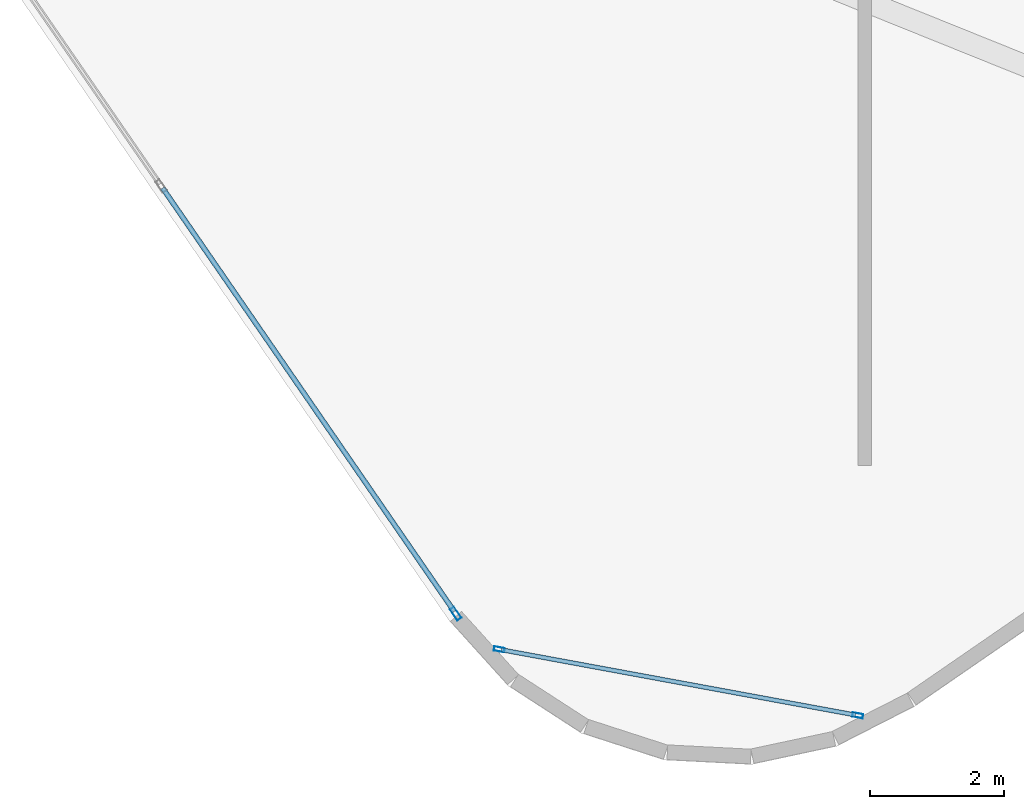
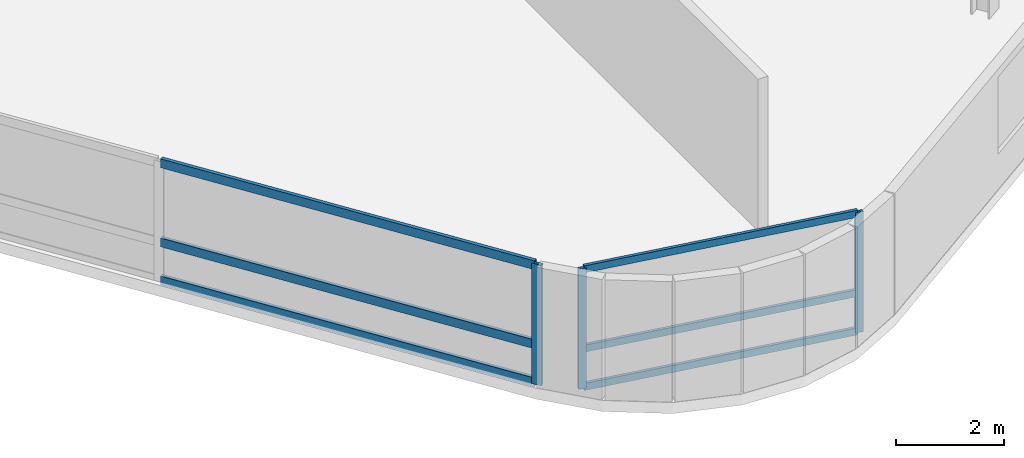
# One storey, part 4 of 23: 9 members, 2 elements without a shape of their own.
"""IFC4 building model written with IfcOpenShell, lengths in metres."""

from ifc_helpers import new_model, si_unit, direction, frame, origin, origin_2d, place, context, subcontext, project, spatial, hollow_rectangle, extrude, material, layer, layer_set, material_profile, profile_set, type_object, element, aggregate, save


model = new_model("IFC4")

# Units and contexts
model_context = context("Model", 3, precision=1e-05, world=origin(), true_north=direction((0.0, 1.0)))
body_context = subcontext(model_context, "Body", "Model", "MODEL_VIEW")
ifc_project = project(units=[si_unit("LENGTHUNIT", "METRE"), si_unit("AREAUNIT", "SQUARE_METRE"), si_unit("VOLUMEUNIT", "CUBIC_METRE"), si_unit("PLANEANGLEUNIT", "RADIAN"), si_unit("MASSUNIT", "GRAM", prefix="KILO")], contexts=[model_context])

# Site, building, storey
site_placement = place(None, origin())
site = spatial("IfcSite", under=ifc_project, at=site_placement, CompositionType="ELEMENT")
building_placement = place(site_placement, origin())
building = spatial("IfcBuilding", under=site, at=building_placement, Name="Varnelok Gate Tower", CompositionType="ELEMENT")
storey_placement = place(building_placement, frame((0.0, 0.0, 273.0)))
storey = spatial("IfcBuildingStorey", under=building, at=storey_placement, Name="L70", CompositionType="ELEMENT", Elevation=273.0)

# Curtain wall, members
ifc_material = material(Name="Anodized Aluminum Alloy 6063-T6", Category="aluminium")
ifc_layer_1 = layer(ifc_material, 0.179931640625)
ifc_layer_set_1 = layer_set([ifc_layer_1], Name="Anodized Aluminum Alloy 6063-T6")
curtain_wall_type_1 = type_object("IfcCurtainWallType", Name="CW5-WINDCORNER-GLAZ", PredefinedType="USERDEFINED", material=ifc_layer_set_1)
curtain_wall_1_placement = place(storey_placement, origin())
curtain_wall_1 = element("IfcCurtainWall", 1, at=curtain_wall_1_placement, inside=storey, type_object=curtain_wall_type_1, Name="L70 Wind-Shaped Corner Curtain Wall SW", ObjectType="STRUCTURAL GLAZING", PredefinedType="USERDEFINED")
ifc_material_profile_1 = material_profile(ifc_material, hollow_rectangle(XDim=0.06494140625, YDim=0.159912109375, WallThickness=0.00390625, at=origin_2d()), Name="ALU160X65X4")
ifc_profile_set_1 = profile_set([ifc_material_profile_1], Name="Anodized Aluminum Alloy 6063-T6")
member_type_1 = type_object("IfcMemberType", Name="CW-MULL-160", PredefinedType="MULLION", material=ifc_profile_set_1)
member_1_placement = place(storey_placement, frame((21.5361328125, -6.748779296875, 0.0), z_axis=(0.0, 0.0, 1.0), x_axis=(0.181201654564, 0.983445962106, 0.0)))
member_1 = element("IfcMember", 2, at=member_1_placement, type_object=member_type_1, Name="CW5 mullion 1", PredefinedType="MULLION", context=body_context, shape_type="SweptSolid", body=[
    extrude(hollow_rectangle(XDim=0.06494140625, YDim=0.159912109375, WallThickness=0.00390625, at=origin_2d()), origin(), (0.0, 0.0, 1.0), 2.72998046875),
])
member_2_placement = place(storey_placement, frame((26.896240234375, -7.736328125, 0.0), z_axis=(0.0, 0.0, 1.0), x_axis=(0.181201654564, 0.983445962106, 0.0)))
member_2 = element("IfcMember", 3, at=member_2_placement, type_object=member_type_1, Name="CW5 mullion 2", PredefinedType="MULLION", context=body_context, shape_type="SweptSolid", body=[
    extrude(hollow_rectangle(XDim=0.06494140625, YDim=0.159912109375, WallThickness=0.00390625, at=origin_2d()), origin(), (0.0, 0.0, 1.0), 2.72998046875),
])

# Curtain wall, member
ifc_layer_2 = layer(ifc_material, 0.179931640625)
ifc_layer_set_2 = layer_set([ifc_layer_2], Name="Anodized Aluminum Alloy 6063-T6")
curtain_wall_type_2 = type_object("IfcCurtainWallType", Name="CW4-RESIDENCE-VISION", PredefinedType="USERDEFINED", material=ifc_layer_set_2)
curtain_wall_2_placement = place(storey_placement, origin())
curtain_wall_2 = element("IfcCurtainWall", 4, at=curtain_wall_2_placement, inside=storey, type_object=curtain_wall_type_2, Name="L70 West End Vision Curtain Wall", ObjectType="UNITISED CURTAIN WALL", PredefinedType="USERDEFINED")
ifc_material_profile_2 = material_profile(ifc_material, hollow_rectangle(XDim=0.074951171875, YDim=0.199951171875, WallThickness=0.00390625, at=origin_2d()), Name="ALU200X75X4")
ifc_profile_set_2 = profile_set([ifc_material_profile_2], Name="Anodized Aluminum Alloy 6063-T6")
member_type_2 = type_object("IfcMemberType", Name="CW-MULL-200", PredefinedType="MULLION", material=ifc_profile_set_2)
member_3_placement = place(storey_placement, frame((20.884521484375, -6.21337890625, 0.0), z_axis=(0.0, 0.0, 1.0), x_axis=(-0.823532290241, -0.567269395376, 0.0)))
member_3 = element("IfcMember", 5, at=member_3_placement, type_object=member_type_2, Name="CW4 mullion 1", PredefinedType="MULLION", context=body_context, shape_type="SweptSolid", body=[
    extrude(hollow_rectangle(XDim=0.074951171875, YDim=0.199951171875, WallThickness=0.00390625, at=origin_2d()), origin(), (0.0, 0.0, 1.0), 2.72998046875),
])

# Member
ifc_material_profile_3 = material_profile(ifc_material, hollow_rectangle(XDim=0.06494140625, YDim=0.159912109375, WallThickness=0.00390625, at=origin_2d()), Name="ALU160X65X4")
ifc_profile_set_3 = profile_set([ifc_material_profile_3], Name="Anodized Aluminum Alloy 6063-T6")
member_type_3 = type_object("IfcMemberType", Name="CW-TRAN-160", PredefinedType="USERDEFINED", material=ifc_profile_set_3)
member_4_placement = place(storey_placement, frame((21.568115234375, -6.754638671875, 0.032470703125), z_axis=(0.983445748374, -0.18120281456, 0.0), x_axis=(0.18120281456, 0.983445748374, 0.0)))
member_4 = element("IfcMember", 6, at=member_4_placement, type_object=member_type_3, Name="CW5 transom 1.1", ObjectType="TRANSOM", PredefinedType="USERDEFINED", context=body_context, shape_type="SweptSolid", body=[
    extrude(hollow_rectangle(XDim=0.06494140625, YDim=0.159912109375, WallThickness=0.00390625, at=origin_2d()), origin(), (0.0, 0.0, 1.0), 5.38525390625),
])

member_5_placement = place(storey_placement, frame((21.568115234375, -6.754638671875, 0.89990234375), z_axis=(0.983445748374, -0.18120281456, 0.0), x_axis=(0.18120281456, 0.983445748374, 0.0)))
member_5 = element("IfcMember", 7, at=member_5_placement, type_object=member_type_3, Name="CW5 transom 1.2", ObjectType="TRANSOM", PredefinedType="USERDEFINED", context=body_context, shape_type="SweptSolid", body=[
    extrude(hollow_rectangle(XDim=0.06494140625, YDim=0.159912109375, WallThickness=0.00390625, at=origin_2d()), origin(), (0.0, 0.0, 1.0), 5.38525390625),
])

member_6_placement = place(storey_placement, frame((21.568115234375, -6.754638671875, 2.697509765625), z_axis=(0.983445748374, -0.18120281456, 0.0), x_axis=(0.18120281456, 0.983445748374, 0.0)))
member_6 = element("IfcMember", 8, at=member_6_placement, type_object=member_type_3, Name="CW5 transom 1.3", ObjectType="TRANSOM", PredefinedType="USERDEFINED", context=body_context, shape_type="SweptSolid", body=[
    extrude(hollow_rectangle(XDim=0.06494140625, YDim=0.159912109375, WallThickness=0.00390625, at=origin_2d()), origin(), (0.0, 0.0, 1.0), 5.38525390625),
])

aggregate(curtain_wall_1, [member_1, member_2, member_4, member_5, member_6])

ifc_material_profile_4 = material_profile(ifc_material, hollow_rectangle(XDim=0.074951171875, YDim=0.199951171875, WallThickness=0.00390625, at=origin_2d()), Name="ALU200X75X4")
ifc_profile_set_4 = profile_set([ifc_material_profile_4], Name="Anodized Aluminum Alloy 6063-T6")
member_type_4 = type_object("IfcMemberType", Name="CW-TRAN-200", PredefinedType="USERDEFINED", material=ifc_profile_set_4)
member_7_placement = place(storey_placement, frame((20.86328125, -6.1826171875, 0.03759765625), z_axis=(-0.567256418128, 0.82354122914, 0.0), x_axis=(-0.82354122914, -0.567256418128, 0.0)))
member_7 = element("IfcMember", 9, at=member_7_placement, type_object=member_type_4, Name="CW4 transom 1.1", ObjectType="TRANSOM", PredefinedType="USERDEFINED", context=body_context, shape_type="SweptSolid", body=[
    extrude(hollow_rectangle(XDim=0.074951171875, YDim=0.199951171875, WallThickness=0.00390625, at=origin_2d()), origin(), (0.0, 0.0, 1.0), 7.6875),
])

member_8_placement = place(storey_placement, frame((20.86328125, -6.1826171875, 0.89990234375), z_axis=(-0.567256418128, 0.82354122914, 0.0), x_axis=(-0.82354122914, -0.567256418128, 0.0)))
member_8 = element("IfcMember", 10, at=member_8_placement, type_object=member_type_4, Name="CW4 transom 1.2", ObjectType="TRANSOM", PredefinedType="USERDEFINED", context=body_context, shape_type="SweptSolid", body=[
    extrude(hollow_rectangle(XDim=0.074951171875, YDim=0.199951171875, WallThickness=0.00390625, at=origin_2d()), origin(), (0.0, 0.0, 1.0), 7.6875),
])

member_9_placement = place(storey_placement, frame((20.86328125, -6.1826171875, 2.6923828125), z_axis=(-0.567256418128, 0.82354122914, 0.0), x_axis=(-0.82354122914, -0.567256418128, 0.0)))
member_9 = element("IfcMember", 11, at=member_9_placement, type_object=member_type_4, Name="CW4 transom 1.3", ObjectType="TRANSOM", PredefinedType="USERDEFINED", context=body_context, shape_type="SweptSolid", body=[
    extrude(hollow_rectangle(XDim=0.074951171875, YDim=0.199951171875, WallThickness=0.00390625, at=origin_2d()), origin(), (0.0, 0.0, 1.0), 7.6875),
])

aggregate(curtain_wall_2, [member_3, member_7, member_8, member_9])

save(model, "model.ifc")
